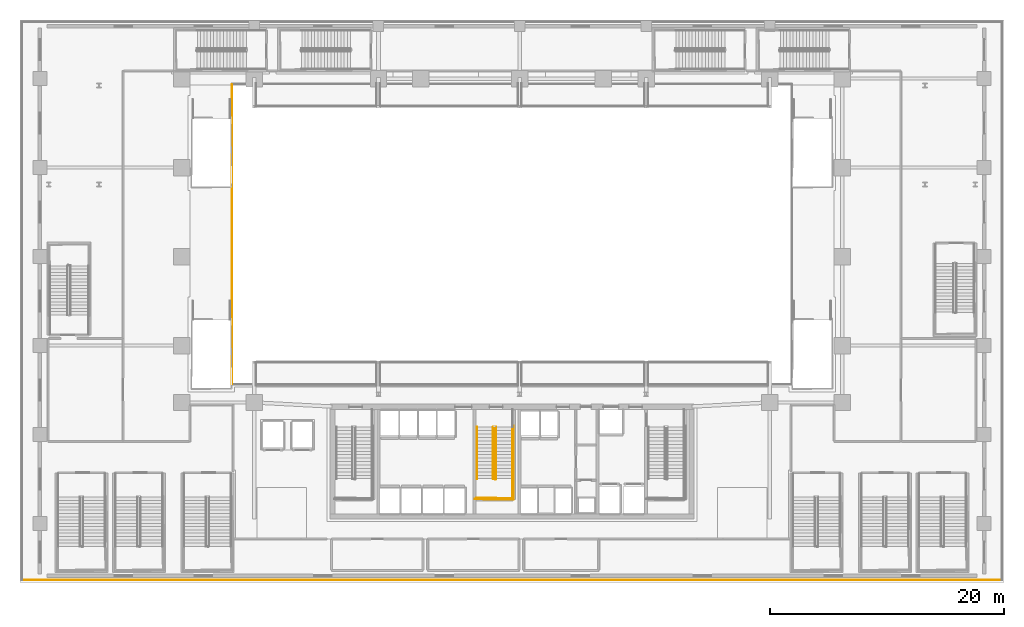
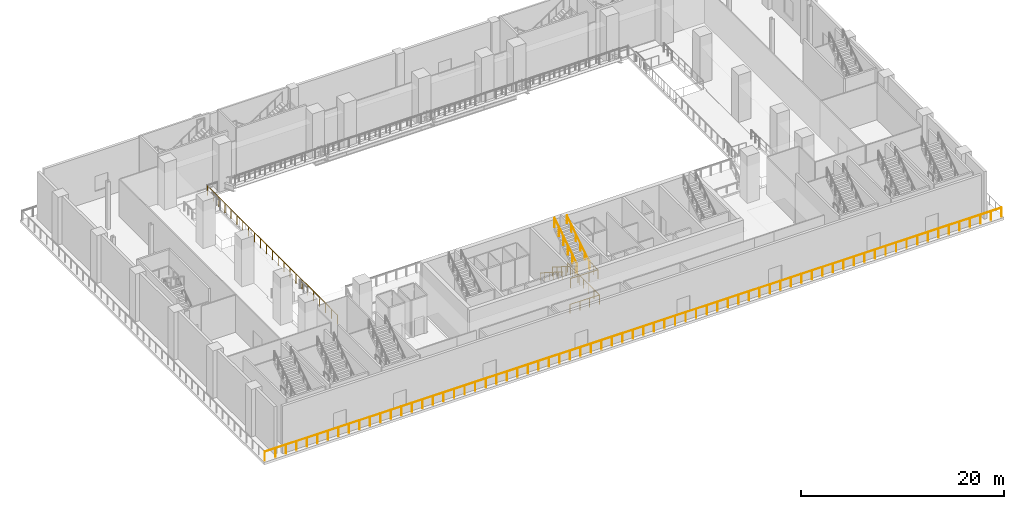
# One storey, part 18 of 28: 8 railings.
"""IFC4 building model written with IfcOpenShell, lengths in metres."""

from ifc_helpers import new_model, si_unit, direction, frame, origin, origin_2d, place, context, subcontext, project, spatial, circle, extrude, material, layer, layer_set, type_object, element, save


model = new_model("IFC4")

# Units and contexts
model_context = context("Model", 3, precision=1e-05, world=origin(), true_north=direction((0.0, 1.0)))
body_context = subcontext(model_context, "Body", "Model", "MODEL_VIEW")
ifc_project = project(units=[si_unit("LENGTHUNIT", "METRE"), si_unit("AREAUNIT", "SQUARE_METRE"), si_unit("VOLUMEUNIT", "CUBIC_METRE"), si_unit("PLANEANGLEUNIT", "RADIAN"), si_unit("MASSUNIT", "GRAM", prefix="KILO")], contexts=[model_context])

# Site, building, storey
site_placement = place(None, origin())
site = spatial("IfcSite", under=ifc_project, at=site_placement, CompositionType="ELEMENT")
building_placement = place(site_placement, origin())
building = spatial("IfcBuilding", under=site, at=building_placement, Name="Ndaravel Arena Tower", CompositionType="ELEMENT")
storey_placement = place(building_placement, frame((0.0, 0.0, 18.0)))
storey = spatial("IfcBuildingStorey", under=building, at=storey_placement, Name="L03", CompositionType="ELEMENT", Elevation=18.0)

# Railings
ifc_material_1 = material(Name="Steel S355", Category="steel")
ifc_layer_1 = layer(ifc_material_1, 0.06005859375)
ifc_layer_set_1 = layer_set([ifc_layer_1], Name="Steel S355")
railing_type_1 = type_object("IfcRailingType", Name="RAIL-STAIR-GD1100", PredefinedType="GUARDRAIL", material=ifc_layer_set_1)
railing_1_placement = place(storey_placement, frame((40.39990234375, 13.25, 0.1875)))
element("IfcRailing", 1, at=railing_1_placement, inside=storey, type_object=railing_type_1, Name="L03 ST-2 stair guard 1", PredefinedType="GUARDRAIL", context=body_context, shape_type="SweptSolid", body=[
    extrude(circle(Radius=0.02392578125, at=origin_2d()), frame((0.0, 0.0, 1.076171875), z_axis=(0.0, -0.843958541447, 0.536408408136), x_axis=(1.0, 0.0, 0.0)), (0.0, 0.0, 1.0), 5.2431640625),
    extrude(circle(Radius=0.02392578125, at=origin_2d()), frame((0.0, -4.425048828125, 3.888671875), z_axis=(0.967074537263, -0.25449329928, 0.0), x_axis=(0.25449329928, 0.967074537263, 0.0)), (0.0, 0.0, 1.0), 0.19677734375),
    extrude(circle(Radius=0.02099609375, at=origin_2d()), origin(), (0.0, 0.0, 1.0), 1.052001953125),
    extrude(circle(Radius=0.02099609375, at=origin_2d()), frame((0.0, -0.885009765625, 0.5625)), (0.0, 0.0, 1.0), 1.052001953125),
    extrude(circle(Radius=0.02099609375, at=origin_2d()), frame((0.0, -1.77001953125, 1.125)), (0.0, 0.0, 1.0), 1.052001953125),
    extrude(circle(Radius=0.02099609375, at=origin_2d()), frame((0.0, -2.655029296875, 1.6875)), (0.0, 0.0, 1.0), 1.052001953125),
    extrude(circle(Radius=0.02099609375, at=origin_2d()), frame((0.0, -3.5400390625, 2.25)), (0.0, 0.0, 1.0), 1.052001953125),
    extrude(circle(Radius=0.02099609375, at=origin_2d()), frame((0.0, -4.425048828125, 2.8125)), (0.0, 0.0, 1.0), 1.052001953125),
    extrude(circle(Radius=0.02099609375, at=origin_2d()), frame((0.190185546875, -4.47509765625, 2.8125)), (0.0, 0.0, 1.0), 1.052001953125),
])
railing_2_placement = place(storey_placement, frame((42.0400390625, 8.824951171875, 3.0)))
element("IfcRailing", 2, at=railing_2_placement, inside=storey, type_object=railing_type_1, Name="L03 ST-2 stair guard 2", PredefinedType="GUARDRAIL", context=body_context, shape_type="SweptSolid", body=[
    extrude(circle(Radius=0.02392578125, at=origin_2d()), frame((0.0, 0.0, 1.076171875), z_axis=(0.0, -1.0, 0.0), x_axis=(1.0, 0.0, 0.0)), (0.0, 0.0, 1.0), 1.675048828125),
    extrude(circle(Radius=0.02392578125, at=origin_2d()), frame((0.0, -1.675048828125, 1.076171875), z_axis=(-0.999868861343, 0.016194447071, 0.0), x_axis=(-0.016194447071, -0.999868861343, 0.0)), (0.0, 0.0, 1.0), 3.090576171875),
    extrude(circle(Radius=0.02099609375, at=origin_2d()), origin(), (0.0, 0.0, 1.0), 1.052001953125),
    extrude(circle(Radius=0.02099609375, at=origin_2d()), frame((0.0, -0.83740234375, 0.0)), (0.0, 0.0, 1.0), 1.052001953125),
    extrude(circle(Radius=0.02099609375, at=origin_2d()), frame((0.0, -1.675048828125, 0.0)), (0.0, 0.0, 1.0), 1.052001953125),
    extrude(circle(Radius=0.02099609375, at=origin_2d()), frame((-1.030029296875, -1.658447265625, 0.0)), (0.0, 0.0, 1.0), 1.052001953125),
    extrude(circle(Radius=0.02099609375, at=origin_2d()), frame((-2.06005859375, -1.6416015625, 0.0)), (0.0, 0.0, 1.0), 1.052001953125),
    extrude(circle(Radius=0.02099609375, at=origin_2d()), frame((-3.090087890625, -1.625, 0.0)), (0.0, 0.0, 1.0), 1.052001953125),
])
railing_3_placement = place(storey_placement, frame((40.639892578125, 8.824951171875, 3.1875)))
element("IfcRailing", 3, at=railing_3_placement, inside=storey, type_object=railing_type_1, Name="L03 ST-2 stair guard 3", PredefinedType="GUARDRAIL", context=body_context, shape_type="SweptSolid", body=[
    extrude(circle(Radius=0.02392578125, at=origin_2d()), frame((0.0, 0.0, 1.076171875), z_axis=(0.0, 0.843958541447, 0.536408408136), x_axis=(-1.0, 0.0, 0.0)), (0.0, 0.0, 1.0), 5.2431640625),
    extrude(circle(Radius=0.02099609375, at=origin_2d()), origin(), (0.0, 0.0, 1.0), 1.052001953125),
    extrude(circle(Radius=0.02099609375, at=origin_2d()), frame((0.0, 0.885009765625, 0.5625)), (0.0, 0.0, 1.0), 1.052001953125),
    extrude(circle(Radius=0.02099609375, at=origin_2d()), frame((0.0, 1.77001953125, 1.125)), (0.0, 0.0, 1.0), 1.052001953125),
    extrude(circle(Radius=0.02099609375, at=origin_2d()), frame((0.0, 2.655029296875, 1.6875)), (0.0, 0.0, 1.0), 1.052001953125),
    extrude(circle(Radius=0.02099609375, at=origin_2d()), frame((0.0, 3.5400390625, 2.25)), (0.0, 0.0, 1.0), 1.052001953125),
    extrude(circle(Radius=0.02099609375, at=origin_2d()), frame((0.0, 4.425048828125, 2.8125)), (0.0, 0.0, 1.0), 1.052001953125),
])
railing_4_placement = place(storey_placement, frame((42.139892578125, 13.35009765625, 0.0)))
element("IfcRailing", 4, at=railing_4_placement, inside=storey, type_object=railing_type_1, Name="L03 ST-2 stair guard 6", PredefinedType="GUARDRAIL", context=body_context, shape_type="SweptSolid", body=[
    extrude(circle(Radius=0.02392578125, at=origin_2d()), frame((0.0, 0.0, 1.076171875), z_axis=(0.0, -1.0, 0.0), x_axis=(1.0, 0.0, 0.0)), (0.0, 0.0, 1.0), 6.300048828125),
    extrude(circle(Radius=0.02392578125, at=origin_2d()), frame((0.0, -6.300048828125, 1.076171875), z_axis=(-0.999884296952, 0.015211597839, 0.0), x_axis=(-0.015211597839, -0.999884296952, 0.0)), (0.0, 0.0, 1.0), 3.290283203125),
    extrude(circle(Radius=0.02099609375, at=origin_2d()), origin(), (0.0, 0.0, 1.0), 1.052001953125),
    extrude(circle(Radius=0.02099609375, at=origin_2d()), frame((0.0, -1.050048828125, 0.0)), (0.0, 0.0, 1.0), 1.052001953125),
    extrude(circle(Radius=0.02099609375, at=origin_2d()), frame((0.0, -2.10009765625, 0.0)), (0.0, 0.0, 1.0), 1.052001953125),
    extrude(circle(Radius=0.02099609375, at=origin_2d()), frame((0.0, -3.14990234375, 0.0)), (0.0, 0.0, 1.0), 1.052001953125),
    extrude(circle(Radius=0.02099609375, at=origin_2d()), frame((0.0, -4.199951171875, 0.0)), (0.0, 0.0, 1.0), 1.052001953125),
    extrude(circle(Radius=0.02099609375, at=origin_2d()), frame((0.0, -5.25, 0.0)), (0.0, 0.0, 1.0), 1.052001953125),
    extrude(circle(Radius=0.02099609375, at=origin_2d()), frame((0.0, -6.300048828125, 0.0)), (0.0, 0.0, 1.0), 1.052001953125),
    extrude(circle(Radius=0.02099609375, at=origin_2d()), frame((-1.0966796875, -6.283447265625, 0.0)), (0.0, 0.0, 1.0), 1.052001953125),
    extrude(circle(Radius=0.02099609375, at=origin_2d()), frame((-2.193115234375, -6.2666015625, 0.0)), (0.0, 0.0, 1.0), 1.052001953125),
    extrude(circle(Radius=0.02099609375, at=origin_2d()), frame((-3.289794921875, -6.25, 0.0)), (0.0, 0.0, 1.0), 1.052001953125),
])
ifc_material_2 = material(Name="Steel S355", Category="steel")
ifc_layer_2 = layer(ifc_material_2, 0.050048828125)
ifc_layer_set_2 = layer_set([ifc_layer_2], Name="Steel S355")
railing_type_2 = type_object("IfcRailingType", Name="RAIL-STAIR-HR920", PredefinedType="HANDRAIL", material=ifc_layer_set_2)
railing_5_placement = place(storey_placement, frame((39.0, 13.25, 0.1875)))
element("IfcRailing", 5, at=railing_5_placement, inside=storey, type_object=railing_type_2, Name="L03 ST-2 stair handrail 1", PredefinedType="HANDRAIL", context=body_context, shape_type="SweptSolid", body=[
    extrude(circle(Radius=0.02392578125, at=origin_2d()), frame((0.0, 0.0, 0.8759765625), z_axis=(0.0, -0.843958541447, 0.536408408136), x_axis=(1.0, 0.0, 0.0)), (0.0, 0.0, 1.0), 5.2431640625),
    extrude(circle(Radius=0.02099609375, at=origin_2d()), origin(), (0.0, 0.0, 1.0), 0.851806640625),
    extrude(circle(Radius=0.02099609375, at=origin_2d()), frame((0.0, -0.885009765625, 0.5625)), (0.0, 0.0, 1.0), 0.851806640625),
    extrude(circle(Radius=0.02099609375, at=origin_2d()), frame((0.0, -1.77001953125, 1.125)), (0.0, 0.0, 1.0), 0.851806640625),
    extrude(circle(Radius=0.02099609375, at=origin_2d()), frame((0.0, -2.655029296875, 1.6875)), (0.0, 0.0, 1.0), 0.851806640625),
    extrude(circle(Radius=0.02099609375, at=origin_2d()), frame((0.0, -3.5400390625, 2.25)), (0.0, 0.0, 1.0), 0.851806640625),
    extrude(circle(Radius=0.02099609375, at=origin_2d()), frame((0.0, -4.425048828125, 2.8125)), (0.0, 0.0, 1.0), 0.851806640625),
])
railing_6_placement = place(storey_placement, frame((42.0400390625, 8.824951171875, 3.1875)))
element("IfcRailing", 6, at=railing_6_placement, inside=storey, type_object=railing_type_2, Name="L03 ST-2 stair handrail 2", PredefinedType="HANDRAIL", context=body_context, shape_type="SweptSolid", body=[
    extrude(circle(Radius=0.02392578125, at=origin_2d()), frame((0.0, 0.0, 0.8759765625), z_axis=(0.0, 0.843958541447, 0.536408408136), x_axis=(-1.0, 0.0, 0.0)), (0.0, 0.0, 1.0), 5.2431640625),
    extrude(circle(Radius=0.02099609375, at=origin_2d()), origin(), (0.0, 0.0, 1.0), 0.851806640625),
    extrude(circle(Radius=0.02099609375, at=origin_2d()), frame((0.0, 0.885009765625, 0.5625)), (0.0, 0.0, 1.0), 0.851806640625),
    extrude(circle(Radius=0.02099609375, at=origin_2d()), frame((0.0, 1.77001953125, 1.125)), (0.0, 0.0, 1.0), 0.851806640625),
    extrude(circle(Radius=0.02099609375, at=origin_2d()), frame((0.0, 2.655029296875, 1.6875)), (0.0, 0.0, 1.0), 0.851806640625),
    extrude(circle(Radius=0.02099609375, at=origin_2d()), frame((0.0, 3.5400390625, 2.25)), (0.0, 0.0, 1.0), 0.851806640625),
    extrude(circle(Radius=0.02099609375, at=origin_2d()), frame((0.0, 4.425048828125, 2.8125)), (0.0, 0.0, 1.0), 0.851806640625),
])
ifc_material_3 = material(Name="Glazing", Category="glass")
ifc_layer_3 = layer(ifc_material_3, 0.070068359375)
ifc_layer_set_3 = layer_set([ifc_layer_3], Name="Glazing")
railing_type_3 = type_object("IfcRailingType", Name="RAIL-TERRACE-1150", PredefinedType="BALUSTRADE", material=ifc_layer_set_3)
railing_7_placement = place(storey_placement, frame((0.179931640625, 0.179931640625, 0.0)))
element("IfcRailing", 7, at=railing_7_placement, inside=storey, type_object=railing_type_3, Name="L03 Podium Perimeter Edge Guard 1", PredefinedType="BALUSTRADE", context=body_context, shape_type="SweptSolid", body=[
    extrude(circle(Radius=0.02392578125, at=origin_2d()), frame((0.0, 0.0, 1.1259765625), z_axis=(1.0, 0.0, 0.0), x_axis=(0.0, 1.0, 0.0)), (0.0, 0.0, 1.0), 83.64013671875),
    extrude(circle(Radius=0.02099609375, at=origin_2d()), origin(), (0.0, 0.0, 1.0), 1.101806640625),
    extrude(circle(Radius=0.02099609375, at=origin_2d()), frame((1.19482421875, 0.0, 0.0)), (0.0, 0.0, 1.0), 1.101806640625),
    extrude(circle(Radius=0.02099609375, at=origin_2d()), frame((2.3896484375, 0.0, 0.0)), (0.0, 0.0, 1.0), 1.101806640625),
    extrude(circle(Radius=0.02099609375, at=origin_2d()), frame((3.58447265625, 0.0, 0.0)), (0.0, 0.0, 1.0), 1.101806640625),
    extrude(circle(Radius=0.02099609375, at=origin_2d()), frame((4.779541015625, 0.0, 0.0)), (0.0, 0.0, 1.0), 1.101806640625),
    extrude(circle(Radius=0.02099609375, at=origin_2d()), frame((5.974365234375, 0.0, 0.0)), (0.0, 0.0, 1.0), 1.101806640625),
    extrude(circle(Radius=0.02099609375, at=origin_2d()), frame((7.169189453125, 0.0, 0.0)), (0.0, 0.0, 1.0), 1.101806640625),
    extrude(circle(Radius=0.02099609375, at=origin_2d()), frame((8.364013671875, 0.0, 0.0)), (0.0, 0.0, 1.0), 1.101806640625),
    extrude(circle(Radius=0.02099609375, at=origin_2d()), frame((9.558837890625, 0.0, 0.0)), (0.0, 0.0, 1.0), 1.101806640625),
    extrude(circle(Radius=0.02099609375, at=origin_2d()), frame((10.753662109375, 0.0, 0.0)), (0.0, 0.0, 1.0), 1.101806640625),
    extrude(circle(Radius=0.02099609375, at=origin_2d()), frame((11.948486328125, 0.0, 0.0)), (0.0, 0.0, 1.0), 1.101806640625),
    extrude(circle(Radius=0.02099609375, at=origin_2d()), frame((13.1435546875, 0.0, 0.0)), (0.0, 0.0, 1.0), 1.101806640625),
    extrude(circle(Radius=0.02099609375, at=origin_2d()), frame((14.33837890625, 0.0, 0.0)), (0.0, 0.0, 1.0), 1.101806640625),
    extrude(circle(Radius=0.02099609375, at=origin_2d()), frame((15.533203125, 0.0, 0.0)), (0.0, 0.0, 1.0), 1.101806640625),
    extrude(circle(Radius=0.02099609375, at=origin_2d()), frame((16.72802734375, 0.0, 0.0)), (0.0, 0.0, 1.0), 1.101806640625),
    extrude(circle(Radius=0.02099609375, at=origin_2d()), frame((17.9228515625, 0.0, 0.0)), (0.0, 0.0, 1.0), 1.101806640625),
    extrude(circle(Radius=0.02099609375, at=origin_2d()), frame((19.11767578125, 0.0, 0.0)), (0.0, 0.0, 1.0), 1.101806640625),
    extrude(circle(Radius=0.02099609375, at=origin_2d()), frame((20.3125, 0.0, 0.0)), (0.0, 0.0, 1.0), 1.101806640625),
    extrude(circle(Radius=0.02099609375, at=origin_2d()), frame((21.507568359375, 0.0, 0.0)), (0.0, 0.0, 1.0), 1.101806640625),
    extrude(circle(Radius=0.02099609375, at=origin_2d()), frame((22.702392578125, 0.0, 0.0)), (0.0, 0.0, 1.0), 1.101806640625),
    extrude(circle(Radius=0.02099609375, at=origin_2d()), frame((23.897216796875, 0.0, 0.0)), (0.0, 0.0, 1.0), 1.101806640625),
    extrude(circle(Radius=0.02099609375, at=origin_2d()), frame((25.092041015625, 0.0, 0.0)), (0.0, 0.0, 1.0), 1.101806640625),
    extrude(circle(Radius=0.02099609375, at=origin_2d()), frame((26.286865234375, 0.0, 0.0)), (0.0, 0.0, 1.0), 1.101806640625),
    extrude(circle(Radius=0.02099609375, at=origin_2d()), frame((27.481689453125, 0.0, 0.0)), (0.0, 0.0, 1.0), 1.101806640625),
    extrude(circle(Radius=0.02099609375, at=origin_2d()), frame((28.676513671875, 0.0, 0.0)), (0.0, 0.0, 1.0), 1.101806640625),
    extrude(circle(Radius=0.02099609375, at=origin_2d()), frame((29.87158203125, 0.0, 0.0)), (0.0, 0.0, 1.0), 1.101806640625),
    extrude(circle(Radius=0.02099609375, at=origin_2d()), frame((31.06640625, 0.0, 0.0)), (0.0, 0.0, 1.0), 1.101806640625),
    extrude(circle(Radius=0.02099609375, at=origin_2d()), frame((32.26123046875, 0.0, 0.0)), (0.0, 0.0, 1.0), 1.101806640625),
    extrude(circle(Radius=0.02099609375, at=origin_2d()), frame((33.4560546875, 0.0, 0.0)), (0.0, 0.0, 1.0), 1.101806640625),
    extrude(circle(Radius=0.02099609375, at=origin_2d()), frame((34.65087890625, 0.0, 0.0)), (0.0, 0.0, 1.0), 1.101806640625),
    extrude(circle(Radius=0.02099609375, at=origin_2d()), frame((35.845703125, 0.0, 0.0)), (0.0, 0.0, 1.0), 1.101806640625),
    extrude(circle(Radius=0.02099609375, at=origin_2d()), frame((37.04052734375, 0.0, 0.0)), (0.0, 0.0, 1.0), 1.101806640625),
    extrude(circle(Radius=0.02099609375, at=origin_2d()), frame((38.235595703125, 0.0, 0.0)), (0.0, 0.0, 1.0), 1.101806640625),
    extrude(circle(Radius=0.02099609375, at=origin_2d()), frame((39.430419921875, 0.0, 0.0)), (0.0, 0.0, 1.0), 1.101806640625),
    extrude(circle(Radius=0.02099609375, at=origin_2d()), frame((40.625244140625, 0.0, 0.0)), (0.0, 0.0, 1.0), 1.101806640625),
    extrude(circle(Radius=0.02099609375, at=origin_2d()), frame((41.820068359375, 0.0, 0.0)), (0.0, 0.0, 1.0), 1.101806640625),
    extrude(circle(Radius=0.02099609375, at=origin_2d()), frame((43.014892578125, 0.0, 0.0)), (0.0, 0.0, 1.0), 1.101806640625),
    extrude(circle(Radius=0.02099609375, at=origin_2d()), frame((44.209716796875, 0.0, 0.0)), (0.0, 0.0, 1.0), 1.101806640625),
    extrude(circle(Radius=0.02099609375, at=origin_2d()), frame((45.404541015625, 0.0, 0.0)), (0.0, 0.0, 1.0), 1.101806640625),
    extrude(circle(Radius=0.02099609375, at=origin_2d()), frame((46.599609375, 0.0, 0.0)), (0.0, 0.0, 1.0), 1.101806640625),
    extrude(circle(Radius=0.02099609375, at=origin_2d()), frame((47.79443359375, 0.0, 0.0)), (0.0, 0.0, 1.0), 1.101806640625),
    extrude(circle(Radius=0.02099609375, at=origin_2d()), frame((48.9892578125, 0.0, 0.0)), (0.0, 0.0, 1.0), 1.101806640625),
    extrude(circle(Radius=0.02099609375, at=origin_2d()), frame((50.18408203125, 0.0, 0.0)), (0.0, 0.0, 1.0), 1.101806640625),
    extrude(circle(Radius=0.02099609375, at=origin_2d()), frame((51.37890625, 0.0, 0.0)), (0.0, 0.0, 1.0), 1.101806640625),
    extrude(circle(Radius=0.02099609375, at=origin_2d()), frame((52.57373046875, 0.0, 0.0)), (0.0, 0.0, 1.0), 1.101806640625),
    extrude(circle(Radius=0.02099609375, at=origin_2d()), frame((53.7685546875, 0.0, 0.0)), (0.0, 0.0, 1.0), 1.101806640625),
    extrude(circle(Radius=0.02099609375, at=origin_2d()), frame((54.963623046875, 0.0, 0.0)), (0.0, 0.0, 1.0), 1.101806640625),
    extrude(circle(Radius=0.02099609375, at=origin_2d()), frame((56.158447265625, 0.0, 0.0)), (0.0, 0.0, 1.0), 1.101806640625),
    extrude(circle(Radius=0.02099609375, at=origin_2d()), frame((57.353271484375, 0.0, 0.0)), (0.0, 0.0, 1.0), 1.101806640625),
    extrude(circle(Radius=0.02099609375, at=origin_2d()), frame((58.548095703125, 0.0, 0.0)), (0.0, 0.0, 1.0), 1.101806640625),
    extrude(circle(Radius=0.02099609375, at=origin_2d()), frame((59.742919921875, 0.0, 0.0)), (0.0, 0.0, 1.0), 1.101806640625),
    extrude(circle(Radius=0.02099609375, at=origin_2d()), frame((60.937744140625, 0.0, 0.0)), (0.0, 0.0, 1.0), 1.101806640625),
    extrude(circle(Radius=0.02099609375, at=origin_2d()), frame((62.132568359375, 0.0, 0.0)), (0.0, 0.0, 1.0), 1.101806640625),
    extrude(circle(Radius=0.02099609375, at=origin_2d()), frame((63.32763671875, 0.0, 0.0)), (0.0, 0.0, 1.0), 1.101806640625),
    extrude(circle(Radius=0.02099609375, at=origin_2d()), frame((64.5224609375, 0.0, 0.0)), (0.0, 0.0, 1.0), 1.101806640625),
    extrude(circle(Radius=0.02099609375, at=origin_2d()), frame((65.71728515625, 0.0, 0.0)), (0.0, 0.0, 1.0), 1.101806640625),
    extrude(circle(Radius=0.02099609375, at=origin_2d()), frame((66.912109375, 0.0, 0.0)), (0.0, 0.0, 1.0), 1.101806640625),
    extrude(circle(Radius=0.02099609375, at=origin_2d()), frame((68.10693359375, 0.0, 0.0)), (0.0, 0.0, 1.0), 1.101806640625),
    extrude(circle(Radius=0.02099609375, at=origin_2d()), frame((69.3017578125, 0.0, 0.0)), (0.0, 0.0, 1.0), 1.101806640625),
    extrude(circle(Radius=0.02099609375, at=origin_2d()), frame((70.49658203125, 0.0, 0.0)), (0.0, 0.0, 1.0), 1.101806640625),
    extrude(circle(Radius=0.02099609375, at=origin_2d()), frame((71.691650390625, 0.0, 0.0)), (0.0, 0.0, 1.0), 1.101806640625),
    extrude(circle(Radius=0.02099609375, at=origin_2d()), frame((72.886474609375, 0.0, 0.0)), (0.0, 0.0, 1.0), 1.101806640625),
    extrude(circle(Radius=0.02099609375, at=origin_2d()), frame((74.081298828125, 0.0, 0.0)), (0.0, 0.0, 1.0), 1.101806640625),
    extrude(circle(Radius=0.02099609375, at=origin_2d()), frame((75.276123046875, 0.0, 0.0)), (0.0, 0.0, 1.0), 1.101806640625),
    extrude(circle(Radius=0.02099609375, at=origin_2d()), frame((76.470947265625, 0.0, 0.0)), (0.0, 0.0, 1.0), 1.101806640625),
    extrude(circle(Radius=0.02099609375, at=origin_2d()), frame((77.665771484375, 0.0, 0.0)), (0.0, 0.0, 1.0), 1.101806640625),
    extrude(circle(Radius=0.02099609375, at=origin_2d()), frame((78.860595703125, 0.0, 0.0)), (0.0, 0.0, 1.0), 1.101806640625),
    extrude(circle(Radius=0.02099609375, at=origin_2d()), frame((80.0556640625, 0.0, 0.0)), (0.0, 0.0, 1.0), 1.101806640625),
    extrude(circle(Radius=0.02099609375, at=origin_2d()), frame((81.25048828125, 0.0, 0.0)), (0.0, 0.0, 1.0), 1.101806640625),
    extrude(circle(Radius=0.02099609375, at=origin_2d()), frame((82.4453125, 0.0, 0.0)), (0.0, 0.0, 1.0), 1.101806640625),
    extrude(circle(Radius=0.02099609375, at=origin_2d()), frame((83.64013671875, 0.0, 0.0)), (0.0, 0.0, 1.0), 1.101806640625),
])
railing_8_placement = place(storey_placement, frame((18.080078125, 42.47998046875, 0.0)))
element("IfcRailing", 8, at=railing_8_placement, inside=storey, type_object=railing_type_3, Name="L03 Arena Bowl Concourse W Balustrade", PredefinedType="BALUSTRADE", context=body_context, shape_type="SweptSolid", body=[
    extrude(circle(Radius=0.02392578125, at=origin_2d()), frame((0.0, 0.0, 1.1259765625), z_axis=(0.0, -1.0, 0.0), x_axis=(1.0, 0.0, 0.0)), (0.0, 0.0, 1.0), 25.56005859375),
    extrude(circle(Radius=0.02099609375, at=origin_2d()), origin(), (0.0, 0.0, 1.0), 1.101806640625),
    extrude(circle(Radius=0.02099609375, at=origin_2d()), frame((0.0, -1.161865234375, 0.0)), (0.0, 0.0, 1.0), 1.101806640625),
    extrude(circle(Radius=0.02099609375, at=origin_2d()), frame((0.0, -2.32373046875, 0.0)), (0.0, 0.0, 1.0), 1.101806640625),
    extrude(circle(Radius=0.02099609375, at=origin_2d()), frame((0.0, -3.4853515625, 0.0)), (0.0, 0.0, 1.0), 1.101806640625),
    extrude(circle(Radius=0.02099609375, at=origin_2d()), frame((0.0, -4.647216796875, 0.0)), (0.0, 0.0, 1.0), 1.101806640625),
    extrude(circle(Radius=0.02099609375, at=origin_2d()), frame((0.0, -5.80908203125, 0.0)), (0.0, 0.0, 1.0), 1.101806640625),
    extrude(circle(Radius=0.02099609375, at=origin_2d()), frame((0.0, -6.970947265625, 0.0)), (0.0, 0.0, 1.0), 1.101806640625),
    extrude(circle(Radius=0.02099609375, at=origin_2d()), frame((0.0, -8.1328125, 0.0)), (0.0, 0.0, 1.0), 1.101806640625),
    extrude(circle(Radius=0.02099609375, at=origin_2d()), frame((0.0, -9.294677734375, 0.0)), (0.0, 0.0, 1.0), 1.101806640625),
    extrude(circle(Radius=0.02099609375, at=origin_2d()), frame((0.0, -10.456298828125, 0.0)), (0.0, 0.0, 1.0), 1.101806640625),
    extrude(circle(Radius=0.02099609375, at=origin_2d()), frame((0.0, -11.6181640625, 0.0)), (0.0, 0.0, 1.0), 1.101806640625),
    extrude(circle(Radius=0.02099609375, at=origin_2d()), frame((0.0, -12.780029296875, 0.0)), (0.0, 0.0, 1.0), 1.101806640625),
    extrude(circle(Radius=0.02099609375, at=origin_2d()), frame((0.0, -13.94189453125, 0.0)), (0.0, 0.0, 1.0), 1.101806640625),
    extrude(circle(Radius=0.02099609375, at=origin_2d()), frame((0.0, -15.103759765625, 0.0)), (0.0, 0.0, 1.0), 1.101806640625),
    extrude(circle(Radius=0.02099609375, at=origin_2d()), frame((0.0, -16.265380859375, 0.0)), (0.0, 0.0, 1.0), 1.101806640625),
    extrude(circle(Radius=0.02099609375, at=origin_2d()), frame((0.0, -17.42724609375, 0.0)), (0.0, 0.0, 1.0), 1.101806640625),
    extrude(circle(Radius=0.02099609375, at=origin_2d()), frame((0.0, -18.589111328125, 0.0)), (0.0, 0.0, 1.0), 1.101806640625),
    extrude(circle(Radius=0.02099609375, at=origin_2d()), frame((0.0, -19.7509765625, 0.0)), (0.0, 0.0, 1.0), 1.101806640625),
    extrude(circle(Radius=0.02099609375, at=origin_2d()), frame((0.0, -20.912841796875, 0.0)), (0.0, 0.0, 1.0), 1.101806640625),
    extrude(circle(Radius=0.02099609375, at=origin_2d()), frame((0.0, -22.07470703125, 0.0)), (0.0, 0.0, 1.0), 1.101806640625),
    extrude(circle(Radius=0.02099609375, at=origin_2d()), frame((0.0, -23.236328125, 0.0)), (0.0, 0.0, 1.0), 1.101806640625),
    extrude(circle(Radius=0.02099609375, at=origin_2d()), frame((0.0, -24.398193359375, 0.0)), (0.0, 0.0, 1.0), 1.101806640625),
    extrude(circle(Radius=0.02099609375, at=origin_2d()), frame((0.0, -25.56005859375, 0.0)), (0.0, 0.0, 1.0), 1.101806640625),
])

save(model, "model.ifc")
